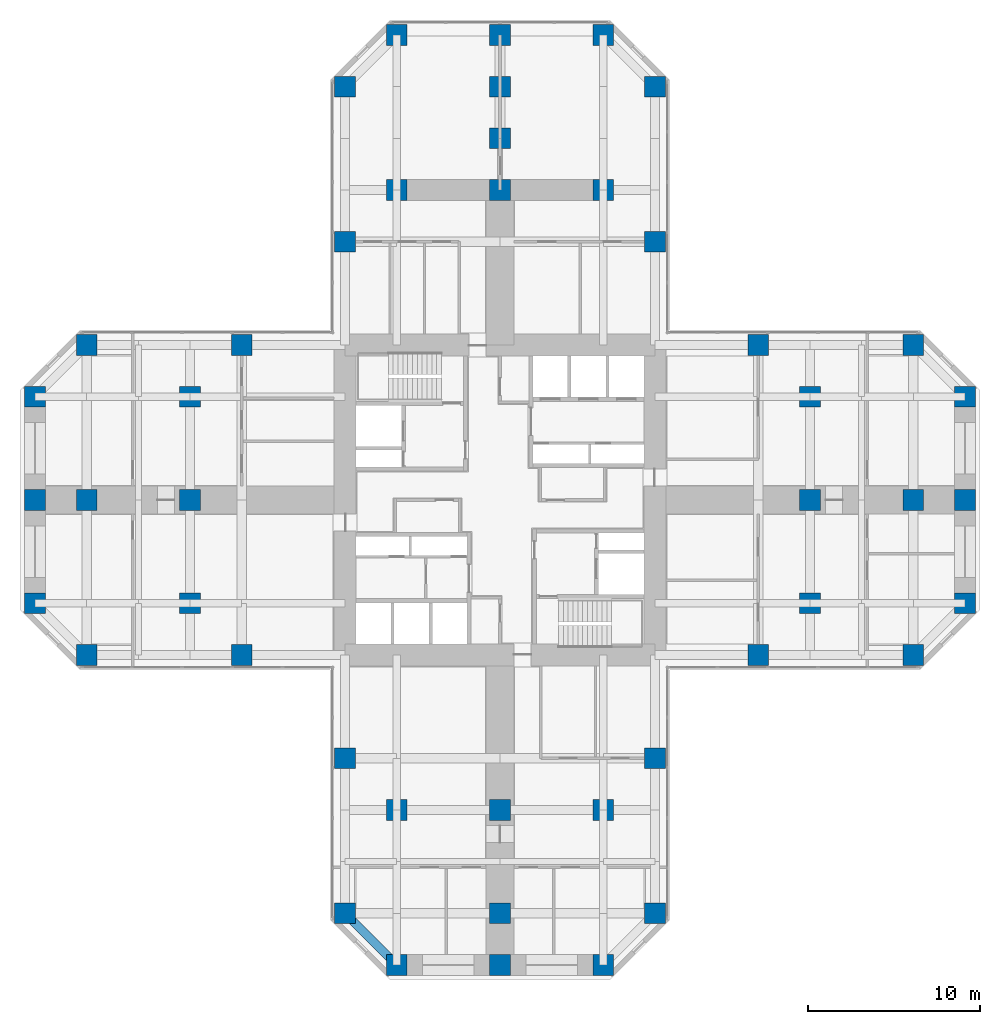
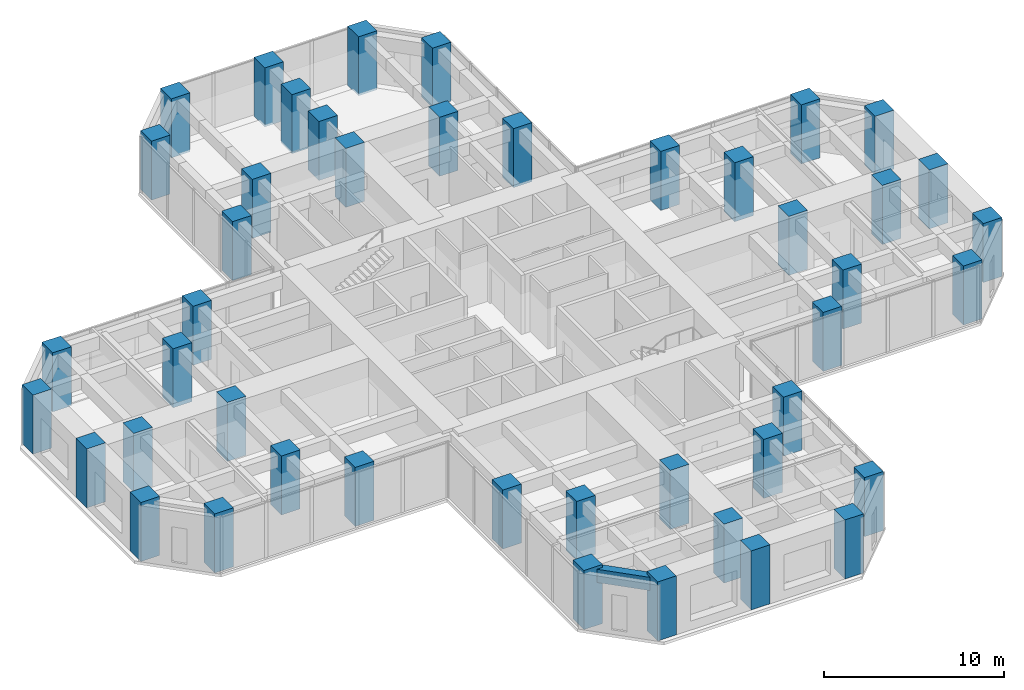
# One storey, part 1 of 13: 45 columns, 1 beam.
"""IFC4 building model written with IfcOpenShell, lengths in metres."""

from ifc_helpers import new_model, si_unit, direction, frame, origin, origin_2d, place, context, subcontext, project, spatial, rectangle, extrude, material, material_profile, profile_set, type_object, element, save


model = new_model("IFC4")

# Units and contexts
model_context = context("Model", 3, precision=1e-05, world=origin(), true_north=direction((0.0, 1.0)))
body_context = subcontext(model_context, "Body", "Model", "MODEL_VIEW")
ifc_project = project(units=[si_unit("LENGTHUNIT", "METRE"), si_unit("AREAUNIT", "SQUARE_METRE"), si_unit("VOLUMEUNIT", "CUBIC_METRE"), si_unit("PLANEANGLEUNIT", "RADIAN"), si_unit("MASSUNIT", "GRAM", prefix="KILO")], contexts=[model_context])

# Site, building, storey
site_placement = place(None, origin())
site = spatial("IfcSite", under=ifc_project, at=site_placement, CompositionType="ELEMENT")
building_placement = place(site_placement, origin())
building = spatial("IfcBuilding", under=site, at=building_placement, Name="Torre Cruceta", CompositionType="ELEMENT")
storey_placement = place(building_placement, frame((0.0, 0.0, 31.5)))
storey = spatial("IfcBuildingStorey", under=building, at=storey_placement, Name="L07", CompositionType="ELEMENT", Elevation=31.5)

# Columns
ifc_material_1 = material(Name="Concrete G60 (fck 60 MPa)", Category="concrete")
ifc_material_profile_1 = material_profile(ifc_material_1, rectangle(XDim=1.199951171875, YDim=1.199951171875, at=origin_2d()), Name="RC 1200X1200")
ifc_profile_set_1 = profile_set([ifc_material_profile_1], Name="Concrete G60 (fck 60 MPa)")
column_type = type_object("IfcColumnType", Name="COLUMN RC 1200X1200", PredefinedType="COLUMN", material=ifc_profile_set_1)
for number, where, z_axis, x_axis, name in (
    (1, (9.0, 15.0, 0.0), (0.0, 0.0, 1.0), (1.0, 0.0, 0.0), "C3 L07 N side"),
    (2, (9.0, 24.0, 0.0), (0.0, 0.0, 1.0), (1.0, 0.0, 0.0), "C3 L07 N chamfer"),
    (3, (-9.0, 15.0, 0.0), (0.0, 0.0, 1.0), (1.0, 0.0, 0.0), "C3 L07 N side"),
    (4, (-9.0, 24.0, 0.0), (0.0, 0.0, 1.0), (1.0, 0.0, 0.0), "C3 L07 N chamfer"),
    (5, (6.0, 27.0, 0.0), (0.0, 0.0, 1.0), (1.0, 0.0, 0.0), "C3 L07 N tip"),
    (6, (0.0, 27.0, 0.0), (0.0, 0.0, 1.0), (1.0, 0.0, 0.0), "C3 L07 N tip"),
    (7, (-6.0, 27.0, 0.0), (0.0, 0.0, 1.0), (1.0, 0.0, 0.0), "C3 L07 N tip"),
    (8, (15.0, -9.0, 0.0), (0.0, 0.0, 1.0), (1.0, 0.0, 0.0), "C3 L07 E side"),
    (9, (24.0, -9.0, 0.0), (0.0, 0.0, 1.0), (1.0, 0.0, 0.0), "C3 L07 E chamfer"),
    (10, (15.0, 9.0, 0.0), (0.0, 0.0, 1.0), (1.0, 0.0, 0.0), "C3 L07 E side"),
    (11, (24.0, 9.0, 0.0), (0.0, 0.0, 1.0), (1.0, 0.0, 0.0), "C3 L07 E chamfer"),
    (12, (27.0, -6.0, 0.0), (0.0, 0.0, 1.0), (1.0, 0.0, 0.0), "C3 L07 E tip"),
    (13, (27.0, 0.0, 0.0), (0.0, 0.0, 1.0), (1.0, 0.0, 0.0), "C3 L07 E tip"),
    (14, (27.0, 6.0, 0.0), (0.0, 0.0, 1.0), (1.0, 0.0, 0.0), "C3 L07 E tip"),
    (15, (-9.0, -15.0, 0.0), (0.0, 0.0, 1.0), (1.0, 0.0, 0.0), "C3 L07 S side"),
    (16, (-9.0, -24.0, 0.0), (0.0, 0.0, 1.0), (1.0, 0.0, 0.0), "C3 L07 S chamfer"),
    (17, (9.0, -15.0, 0.0), (0.0, 0.0, 1.0), (1.0, 0.0, 0.0), "C3 L07 S side"),
    (18, (9.0, -24.0, 0.0), (0.0, 0.0, 1.0), (1.0, 0.0, 0.0), "C3 L07 S chamfer"),
    (19, (-6.0, -27.0, 0.0), (0.0, 0.0, 1.0), (1.0, 0.0, 0.0), "C3 L07 S tip"),
    (20, (0.0, -27.0, 0.0), (0.0, 0.0, 1.0), (1.0, 0.0, 0.0), "C3 L07 S tip"),
    (21, (6.0, -27.0, 0.0), (0.0, 0.0, 1.0), (1.0, 0.0, 0.0), "C3 L07 S tip"),
    (22, (-15.0, 9.0, 0.0), (0.0, 0.0, 1.0), (1.0, 0.0, 0.0), "C3 L07 W side"),
    (23, (-24.0, 9.0, 0.0), (0.0, 0.0, 1.0), (1.0, 0.0, 0.0), "C3 L07 W chamfer"),
    (24, (-15.0, -9.0, 0.0), (0.0, 0.0, 1.0), (1.0, 0.0, 0.0), "C3 L07 W side"),
    (25, (-24.0, -9.0, 0.0), (0.0, 0.0, 1.0), (1.0, 0.0, 0.0), "C3 L07 W chamfer"),
    (26, (-27.0, 6.0, 0.0), (0.0, 0.0, 1.0), (1.0, 0.0, 0.0), "C3 L07 W tip"),
    (27, (-27.0, 0.0, 0.0), (0.0, 0.0, 1.0), (1.0, 0.0, 0.0), "C3 L07 W tip"),
    (28, (-27.0, -6.0, 0.0), (0.0, 0.0, 1.0), (1.0, 0.0, 0.0), "C3 L07 W tip"),
    (29, (6.0, 18.0, 0.0), (0.0, 0.0, 1.0), (1.0, 0.0, 0.0), "C3 L07 N interior"),
    (30, (0.0, 18.0, 0.0), (0.0, 0.0, 1.0), (1.0, 0.0, 0.0), "C3 L07 N interior"),
    (31, (-6.0, 18.0, 0.0), (0.0, 0.0, 1.0), (1.0, 0.0, 0.0), "C3 L07 N interior"),
    (32, (0.0, 21.0, 0.0), (0.0, 0.0, 1.0), (1.0, 0.0, 0.0), "C3 L07 N interior"),
    (33, (0.0, 24.0, 0.0), (0.0, 0.0, 1.0), (1.0, 0.0, 0.0), "C3 L07 N interior"),
    (34, (18.0, -6.0, 0.0), (0.0, 0.0, 1.0), (1.0, 0.0, 0.0), "C3 L07 E interior"),
    (35, (18.0, 0.0, 0.0), (0.0, 0.0, 1.0), (1.0, 0.0, 0.0), "C3 L07 E interior"),
    (36, (18.0, 6.0, 0.0), (0.0, 0.0, 1.0), (1.0, 0.0, 0.0), "C3 L07 E interior"),
    (37, (24.0, 0.0, 0.0), (0.0, 0.0, 1.0), (1.0, 0.0, 0.0), "C3 L07 E interior"),
    (38, (-6.0, -18.0, 0.0), (0.0, 0.0, 1.0), (1.0, 0.0, 0.0), "C3 L07 S interior"),
    (39, (0.0, -18.0, 0.0), (0.0, 0.0, 1.0), (1.0, 0.0, 0.0), "C3 L07 S interior"),
    (40, (6.0, -18.0, 0.0), (0.0, 0.0, 1.0), (1.0, 0.0, 0.0), "C3 L07 S interior"),
    (41, (0.0, -24.0, 0.0), (0.0, 0.0, 1.0), (1.0, 0.0, 0.0), "C3 L07 S interior"),
    (42, (-18.0, 6.0, 0.0), (0.0, 0.0, 1.0), (1.0, 0.0, 0.0), "C3 L07 W interior"),
    (43, (-18.0, 0.0, 0.0), (0.0, 0.0, 1.0), (1.0, 0.0, 0.0), "C3 L07 W interior"),
    (44, (-18.0, -6.0, 0.0), (0.0, 0.0, 1.0), (1.0, 0.0, 0.0), "C3 L07 W interior"),
    (45, (-24.0, 0.0, 0.0), (0.0, 0.0, 1.0), (1.0, 0.0, 0.0), "C3 L07 W interior"),
):
    element("IfcColumn", number, at=place(storey_placement, frame(where, z_axis=z_axis, x_axis=x_axis)), inside=storey, type_object=column_type, Name=name, PredefinedType="COLUMN", context=body_context, shape_type="SweptSolid", body=[
        extrude(rectangle(XDim=1.199951171875, YDim=1.199951171875, at=origin_2d()), origin(), (0.0, 0.0, 1.0), 4.0),
    ])

# Beam
ifc_material_2 = material(Name="Concrete G60 (fck 60 MPa)", Category="concrete")
ifc_material_profile_2 = material_profile(ifc_material_2, rectangle(XDim=0.5, YDim=0.89990234375, at=origin_2d()), Name="RC 500X900")
ifc_profile_set_2 = profile_set([ifc_material_profile_2], Name="Concrete G60 (fck 60 MPa)")
beam_type = type_object("IfcBeamType", Name="SPANDREL BEAM RC 500X900", PredefinedType="SPANDREL", material=ifc_profile_set_2)
beam_placement = place(storey_placement, frame((-9.0, -24.0, 3.35009765625), z_axis=(0.707106781187, -0.707106781187, 0.0), x_axis=(0.707106781187, 0.707106781187, 0.0)))
element("IfcBeam", 46, at=beam_placement, inside=storey, type_object=beam_type, Name="SB4 L07 S side- 5", PredefinedType="SPANDREL", context=body_context, shape_type="SweptSolid", body=[
    extrude(rectangle(XDim=0.5, YDim=0.89990234375, at=origin_2d()), origin(), (0.0, 0.0, 1.0), 4.24267578125),
])

save(model, "model.ifc")
